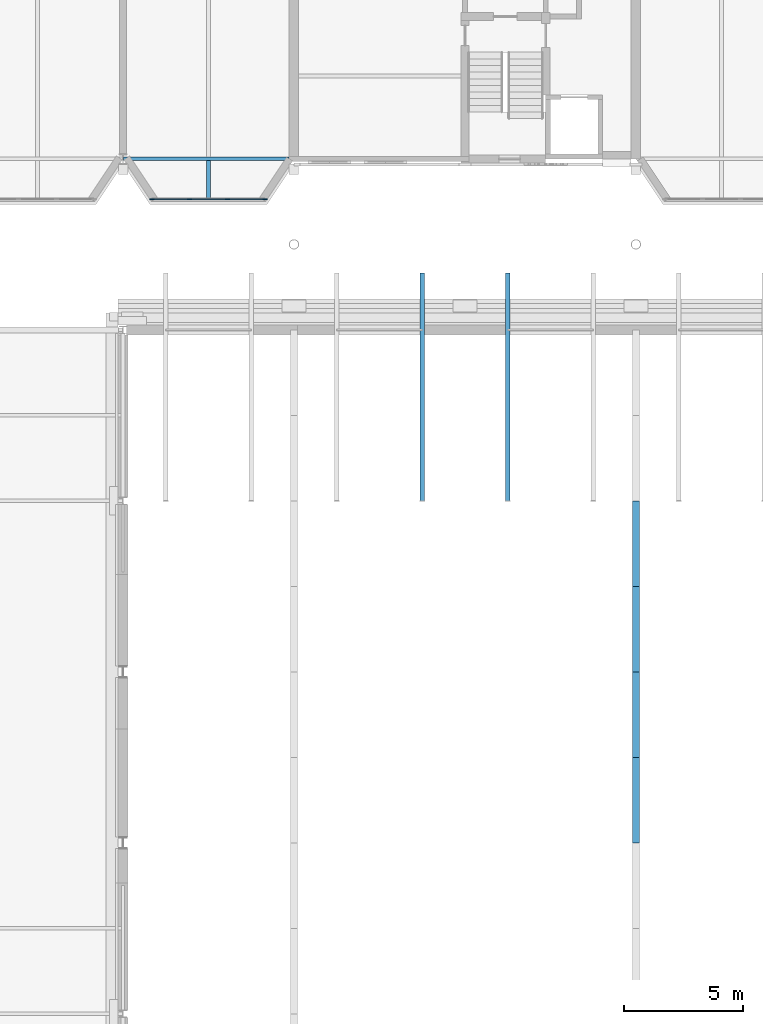
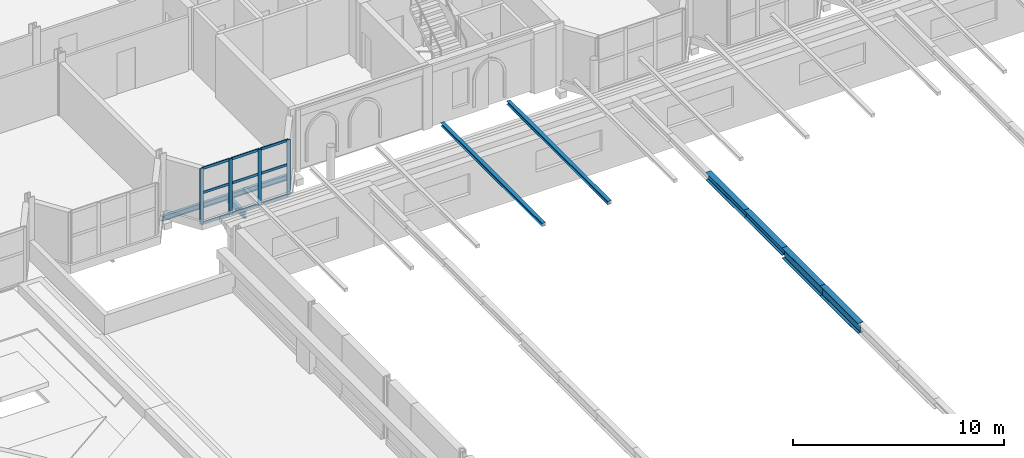
# One storey, part 26 of 110: 19 members, 2 beams, 1 element without a shape of its own.
"""IFC4 building model written with IfcOpenShell, lengths in metres."""

from ifc_helpers import new_model, si_unit, direction, frame, origin, origin_2d, place, context, subcontext, project, spatial, rectangle, i_section, extrude, material, material_profile, profile_set, type_object, element, aggregate, save


model = new_model("IFC4")

# Units and contexts
model_context = context("Model", 3, precision=1e-05, world=origin(), true_north=direction((0.0, 1.0)))
body_context = subcontext(model_context, "Body", "Model", "MODEL_VIEW")
ifc_project = project(units=[si_unit("LENGTHUNIT", "METRE"), si_unit("AREAUNIT", "SQUARE_METRE"), si_unit("VOLUMEUNIT", "CUBIC_METRE"), si_unit("PLANEANGLEUNIT", "RADIAN"), si_unit("MASSUNIT", "GRAM", prefix="KILO")], contexts=[model_context])

# Site, building, storey
site_placement = place(None, origin())
site = spatial("IfcSite", under=ifc_project, at=site_placement, CompositionType="ELEMENT")
building_placement = place(site_placement, origin())
building = spatial("IfcBuilding", under=site, at=building_placement, Name="Kupolbacken Congress Centre", CompositionType="ELEMENT")
storey_placement = place(building_placement, frame((0.0, 0.0, 18.0)))
storey = spatial("IfcBuildingStorey", under=building, at=storey_placement, Name="L05", CompositionType="ELEMENT", Elevation=18.0)

# Beams
ifc_material_1 = material(Name="Steel S355", Category="steel")
ifc_material_profile_1 = material_profile(ifc_material_1, i_section(OverallWidth=0.14990234375, OverallDepth=0.300048828125, WebThickness=0.007080078125, FlangeThickness=0.0107421875, FilletRadius=0.014892578125, at=origin_2d()), Name="IPE 300")
ifc_profile_set_1 = profile_set([ifc_material_profile_1], Name="Steel S355")
beam_type_1 = type_object("IfcBeamType", Name="B04 beam IPE 300", PredefinedType="BEAM", material=ifc_profile_set_1)
beam_1_placement = place(storey_placement, frame((86.410400390625, 122.39990234375, -0.2900390625), z_axis=(1.0, 0.0, 0.0), x_axis=(0.0, 1.0, 0.0)))
element("IfcBeam", 1, at=beam_1_placement, inside=storey, type_object=beam_type_1, Name="S/floor/T/L05/R002", PredefinedType="BEAM", context=body_context, shape_type="SweptSolid", body=[
    extrude(i_section(OverallWidth=0.14990234375, OverallDepth=0.300048828125, WebThickness=0.007080078125, FlangeThickness=0.0107421875, FilletRadius=0.014892578125, at=origin_2d()), origin(), (0.0, 0.0, 1.0), 6.989501953125),
])
ifc_material_2 = material(Name="Steel S355", Category="steel")
ifc_material_profile_2 = material_profile(ifc_material_2, i_section(OverallWidth=0.169921875, OverallDepth=0.360107421875, WebThickness=0.008056640625, FlangeThickness=0.0126953125, FilletRadius=0.01806640625, at=origin_2d()), Name="IPE 360")
ifc_profile_set_2 = profile_set([ifc_material_profile_2], Name="Steel S355")
beam_type_2 = type_object("IfcBeamType", Name="B06 beam IPE 360", PredefinedType="BEAM", material=ifc_profile_set_2)
beam_2_placement = place(storey_placement, frame((90.0, 122.324951171875, -0.320068359375), z_axis=(0.0, -1.0, 0.0), x_axis=(1.0, 0.0, 0.0)))
element("IfcBeam", 2, at=beam_2_placement, inside=storey, type_object=beam_type_2, Name="S/floor/T/L05/C082", PredefinedType="BEAM", context=body_context, shape_type="SweptSolid", body=[
    extrude(i_section(OverallWidth=0.169921875, OverallDepth=0.360107421875, WebThickness=0.008056640625, FlangeThickness=0.0126953125, FilletRadius=0.01806640625, at=origin_2d()), origin(), (0.0, 0.0, 1.0), 1.6650390625),
])

# Members
ifc_material_3 = material(Name="Steel S355", Category="steel")
ifc_material_profile_3 = material_profile(ifc_material_3, i_section(OverallWidth=0.300048828125, OverallDepth=0.60009765625, WebThickness=0.015380859375, FlangeThickness=0.030029296875, FilletRadius=0.027099609375, at=origin_2d()), Name="HEB 600")
ifc_profile_set_3 = profile_set([ifc_material_profile_3], Name="Steel S355")
member_type_1 = type_object("IfcMemberType", Name="M02 transfer truss chord HEB 600", PredefinedType="CHORD", material=ifc_profile_set_3)
member_1_placement = place(storey_placement, frame((108.0, 93.60009765625, 3.300048828125), z_axis=(0.0, 1.0, 0.0), x_axis=(-1.0, 0.0, 0.0)))
element("IfcMember", 3, at=member_1_placement, inside=storey, type_object=member_type_1, Name="HT/T2/TC15", PredefinedType="CHORD", context=body_context, shape_type="SweptSolid", body=[
    extrude(i_section(OverallWidth=0.300048828125, OverallDepth=0.60009765625, WebThickness=0.015380859375, FlangeThickness=0.030029296875, FilletRadius=0.027099609375, at=origin_2d()), origin(), (0.0, 0.0, 1.0), 3.599853515625),
])
member_2_placement = place(storey_placement, frame((108.0, 97.199951171875, 3.300048828125), z_axis=(0.0, 1.0, 0.0), x_axis=(-1.0, 0.0, 0.0)))
element("IfcMember", 4, at=member_2_placement, inside=storey, type_object=member_type_1, Name="HT/T2/TC16", PredefinedType="CHORD", context=body_context, shape_type="SweptSolid", body=[
    extrude(i_section(OverallWidth=0.300048828125, OverallDepth=0.60009765625, WebThickness=0.015380859375, FlangeThickness=0.030029296875, FilletRadius=0.027099609375, at=origin_2d()), origin(), (0.0, 0.0, 1.0), 3.60009765625),
])
ifc_material_4 = material(Name="Steel S355", Category="steel")
ifc_material_profile_4 = material_profile(ifc_material_4, i_section(OverallWidth=0.300048828125, OverallDepth=0.43994140625, WebThickness=0.011474609375, FlangeThickness=0.02099609375, FilletRadius=0.027099609375, at=origin_2d()), Name="HEA 450")
ifc_profile_set_4 = profile_set([ifc_material_profile_4], Name="Steel S355")
member_type_2 = type_object("IfcMemberType", Name="M03 transfer truss chord HEA 450", PredefinedType="CHORD", material=ifc_profile_set_4)
member_3_placement = place(storey_placement, frame((108.0, 100.800048828125, 3.3798828125), z_axis=(0.0, 1.0, 0.0), x_axis=(-1.0, 0.0, 0.0)))
element("IfcMember", 5, at=member_3_placement, inside=storey, type_object=member_type_2, Name="HT/T2/TC17", PredefinedType="CHORD", context=body_context, shape_type="SweptSolid", body=[
    extrude(i_section(OverallWidth=0.300048828125, OverallDepth=0.43994140625, WebThickness=0.011474609375, FlangeThickness=0.02099609375, FilletRadius=0.027099609375, at=origin_2d()), origin(), (0.0, 0.0, 1.0), 3.599853515625),
])
member_4_placement = place(storey_placement, frame((108.0, 104.39990234375, 3.3798828125), z_axis=(0.0, 1.0, 0.0), x_axis=(-1.0, 0.0, 0.0)))
element("IfcMember", 6, at=member_4_placement, inside=storey, type_object=member_type_2, Name="HT/T2/TC18", PredefinedType="CHORD", context=body_context, shape_type="SweptSolid", body=[
    extrude(i_section(OverallWidth=0.300048828125, OverallDepth=0.43994140625, WebThickness=0.011474609375, FlangeThickness=0.02099609375, FilletRadius=0.027099609375, at=origin_2d()), origin(), (0.0, 0.0, 1.0), 3.60009765625),
])
ifc_material_5 = material(Name="Steel S355", Category="steel")
ifc_material_profile_5 = material_profile(ifc_material_5, i_section(OverallWidth=0.199951171875, OverallDepth=0.18994140625, WebThickness=0.006591796875, FlangeThickness=0.010009765625, FilletRadius=0.01806640625, at=origin_2d()), Name="HEA 200")
ifc_profile_set_5 = profile_set([ifc_material_profile_5], Name="Steel S355")
member_type_3 = type_object("IfcMemberType", Name="M14 member HEA 200", PredefinedType="BRACE", material=ifc_profile_set_5)
for number, where, z_axis, x_axis, name in (
    (7, (99.0, 108.0, 3.68505859375), (0.0, 1.0, 0.0), (-1.0, 0.0, 0.0), "HE/N04"),
    (8, (102.60009765625, 108.0, 3.68505859375), (0.0, 1.0, 0.0), (-1.0, 0.0, 0.0), "HE/N05"),
):
    element("IfcMember", number, at=place(storey_placement, frame(where, z_axis=z_axis, x_axis=x_axis)), inside=storey, type_object=member_type_3, Name=name, PredefinedType="BRACE", context=body_context, shape_type="SweptSolid", body=[
        extrude(i_section(OverallWidth=0.199951171875, OverallDepth=0.18994140625, WebThickness=0.006591796875, FlangeThickness=0.010009765625, FilletRadius=0.01806640625, at=origin_2d()), origin(), (0.0, 0.0, 1.0), 9.60009765625),
    ])

# Curtain wall, members
ifc_material_6 = material(Name="Aluminium mullion-transom frame with glass", Category="aluminium")
curtain_wall_type = type_object("IfcCurtainWallType", Name="CW1 curtain wall 7200x3600", PredefinedType="NOTDEFINED", material=ifc_material_6)
curtain_wall_placement = place(storey_placement, origin())
curtain_wall = element("IfcCurtainWall", 9, at=curtain_wall_placement, inside=storey, type_object=curtain_wall_type, Name="E/T/cumba/L05/S/009/cw", PredefinedType="NOTDEFINED")
ifc_material_7 = material(Name="Aluminium alloy", Category="aluminium")
ifc_material_profile_6 = material_profile(ifc_material_7, rectangle(XDim=0.050048828125, YDim=0.199951171875, at=origin_2d()), Name="50 x 200")
ifc_profile_set_6 = profile_set([ifc_material_profile_6], Name="Aluminium alloy")
member_type_4 = type_object("IfcMemberType", Name="MU2 mullion 50x200", PredefinedType="MULLION", material=ifc_profile_set_6)
member_5_placement = place(storey_placement, frame((87.625, 120.699951171875, 0.0), z_axis=(0.0, 0.0, 1.0), x_axis=(0.0, 1.0, 0.0)))
member_5 = element("IfcMember", 10, at=member_5_placement, type_object=member_type_4, Name="CW1 mullion 1", PredefinedType="MULLION", context=body_context, shape_type="SweptSolid", body=[
    extrude(rectangle(XDim=0.050048828125, YDim=0.199951171875, at=origin_2d()), origin(), (0.0, 0.0, 1.0), 3.219970703125),
])
member_6_placement = place(storey_placement, frame((89.199951171875, 120.699951171875, 0.0), z_axis=(0.0, 0.0, 1.0), x_axis=(0.0, 1.0, 0.0)))
member_6 = element("IfcMember", 11, at=member_6_placement, type_object=member_type_4, Name="CW1 mullion 2", PredefinedType="MULLION", context=body_context, shape_type="SweptSolid", body=[
    extrude(rectangle(XDim=0.050048828125, YDim=0.199951171875, at=origin_2d()), origin(), (0.0, 0.0, 1.0), 3.219970703125),
])
member_7_placement = place(storey_placement, frame((90.800048828125, 120.699951171875, 0.0), z_axis=(0.0, 0.0, 1.0), x_axis=(0.0, 1.0, 0.0)))
member_7 = element("IfcMember", 12, at=member_7_placement, type_object=member_type_4, Name="CW1 mullion 3", PredefinedType="MULLION", context=body_context, shape_type="SweptSolid", body=[
    extrude(rectangle(XDim=0.050048828125, YDim=0.199951171875, at=origin_2d()), origin(), (0.0, 0.0, 1.0), 3.219970703125),
])
member_8_placement = place(storey_placement, frame((92.375, 120.699951171875, 0.0), z_axis=(0.0, 0.0, 1.0), x_axis=(0.0, 1.0, 0.0)))
member_8 = element("IfcMember", 13, at=member_8_placement, type_object=member_type_4, Name="CW1 mullion 4", PredefinedType="MULLION", context=body_context, shape_type="SweptSolid", body=[
    extrude(rectangle(XDim=0.050048828125, YDim=0.199951171875, at=origin_2d()), origin(), (0.0, 0.0, 1.0), 3.219970703125),
])
ifc_material_8 = material(Name="Aluminium alloy", Category="aluminium")
ifc_material_profile_7 = material_profile(ifc_material_8, rectangle(XDim=0.050048828125, YDim=0.14990234375, at=origin_2d()), Name="50 x 150")
ifc_profile_set_7 = profile_set([ifc_material_profile_7], Name="Aluminium alloy")
member_type_5 = type_object("IfcMemberType", Name="TR2 transom 50x150", PredefinedType="MULLION", material=ifc_profile_set_7)
member_9_placement = place(storey_placement, frame((87.64990234375, 120.699951171875, 0.02490234375), z_axis=(1.0, 0.0, 0.0), x_axis=(0.0, 1.0, 0.0)))
member_9 = element("IfcMember", 14, at=member_9_placement, type_object=member_type_5, Name="CW1 transom 1.1", PredefinedType="MULLION", context=body_context, shape_type="SweptSolid", body=[
    extrude(rectangle(XDim=0.050048828125, YDim=0.14990234375, at=origin_2d()), origin(), (0.0, 0.0, 1.0), 1.525146484375),
])
member_10_placement = place(storey_placement, frame((87.64990234375, 120.699951171875, 1.800048828125), z_axis=(1.0, 0.0, 0.0), x_axis=(0.0, 1.0, 0.0)))
member_10 = element("IfcMember", 15, at=member_10_placement, type_object=member_type_5, Name="CW1 transom 1.2", PredefinedType="MULLION", context=body_context, shape_type="SweptSolid", body=[
    extrude(rectangle(XDim=0.050048828125, YDim=0.14990234375, at=origin_2d()), origin(), (0.0, 0.0, 1.0), 1.525146484375),
])
member_11_placement = place(storey_placement, frame((87.64990234375, 120.699951171875, 3.195068359375), z_axis=(1.0, 0.0, 0.0), x_axis=(0.0, 1.0, 0.0)))
member_11 = element("IfcMember", 16, at=member_11_placement, type_object=member_type_5, Name="CW1 transom 1.3", PredefinedType="MULLION", context=body_context, shape_type="SweptSolid", body=[
    extrude(rectangle(XDim=0.050048828125, YDim=0.14990234375, at=origin_2d()), origin(), (0.0, 0.0, 1.0), 1.525146484375),
])
member_12_placement = place(storey_placement, frame((89.22509765625, 120.699951171875, 0.02490234375), z_axis=(1.0, 0.0, 0.0), x_axis=(0.0, 1.0, 0.0)))
member_12 = element("IfcMember", 17, at=member_12_placement, type_object=member_type_5, Name="CW1 transom 2.1", PredefinedType="MULLION", context=body_context, shape_type="SweptSolid", body=[
    extrude(rectangle(XDim=0.050048828125, YDim=0.14990234375, at=origin_2d()), origin(), (0.0, 0.0, 1.0), 1.5498046875),
])
member_13_placement = place(storey_placement, frame((89.22509765625, 120.699951171875, 1.800048828125), z_axis=(1.0, 0.0, 0.0), x_axis=(0.0, 1.0, 0.0)))
member_13 = element("IfcMember", 18, at=member_13_placement, type_object=member_type_5, Name="CW1 transom 2.2", PredefinedType="MULLION", context=body_context, shape_type="SweptSolid", body=[
    extrude(rectangle(XDim=0.050048828125, YDim=0.14990234375, at=origin_2d()), origin(), (0.0, 0.0, 1.0), 1.5498046875),
])
member_14_placement = place(storey_placement, frame((89.22509765625, 120.699951171875, 3.195068359375), z_axis=(1.0, 0.0, 0.0), x_axis=(0.0, 1.0, 0.0)))
member_14 = element("IfcMember", 19, at=member_14_placement, type_object=member_type_5, Name="CW1 transom 2.3", PredefinedType="MULLION", context=body_context, shape_type="SweptSolid", body=[
    extrude(rectangle(XDim=0.050048828125, YDim=0.14990234375, at=origin_2d()), origin(), (0.0, 0.0, 1.0), 1.5498046875),
])
member_15_placement = place(storey_placement, frame((90.824951171875, 120.699951171875, 0.02490234375), z_axis=(1.0, 0.0, 0.0), x_axis=(0.0, 1.0, 0.0)))
member_15 = element("IfcMember", 20, at=member_15_placement, type_object=member_type_5, Name="CW1 transom 3.1", PredefinedType="MULLION", context=body_context, shape_type="SweptSolid", body=[
    extrude(rectangle(XDim=0.050048828125, YDim=0.14990234375, at=origin_2d()), origin(), (0.0, 0.0, 1.0), 1.525146484375),
])
member_16_placement = place(storey_placement, frame((90.824951171875, 120.699951171875, 1.800048828125), z_axis=(1.0, 0.0, 0.0), x_axis=(0.0, 1.0, 0.0)))
member_16 = element("IfcMember", 21, at=member_16_placement, type_object=member_type_5, Name="CW1 transom 3.2", PredefinedType="MULLION", context=body_context, shape_type="SweptSolid", body=[
    extrude(rectangle(XDim=0.050048828125, YDim=0.14990234375, at=origin_2d()), origin(), (0.0, 0.0, 1.0), 1.525146484375),
])
member_17_placement = place(storey_placement, frame((90.824951171875, 120.699951171875, 3.195068359375), z_axis=(1.0, 0.0, 0.0), x_axis=(0.0, 1.0, 0.0)))
member_17 = element("IfcMember", 22, at=member_17_placement, type_object=member_type_5, Name="CW1 transom 3.3", PredefinedType="MULLION", context=body_context, shape_type="SweptSolid", body=[
    extrude(rectangle(XDim=0.050048828125, YDim=0.14990234375, at=origin_2d()), origin(), (0.0, 0.0, 1.0), 1.525146484375),
])
aggregate(curtain_wall, [member_5, member_6, member_7, member_8, member_9, member_10, member_11, member_12, member_13, member_14, member_15, member_16, member_17])

save(model, "model.ifc")
